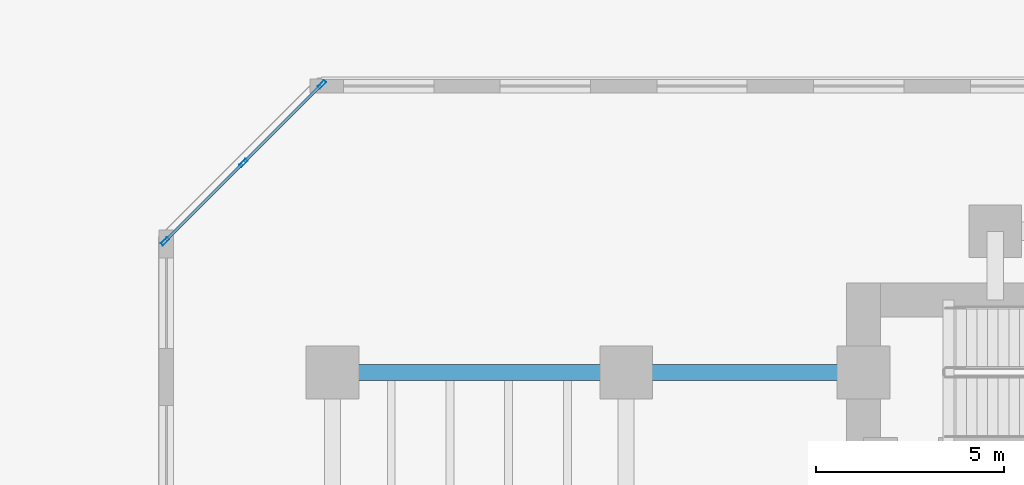
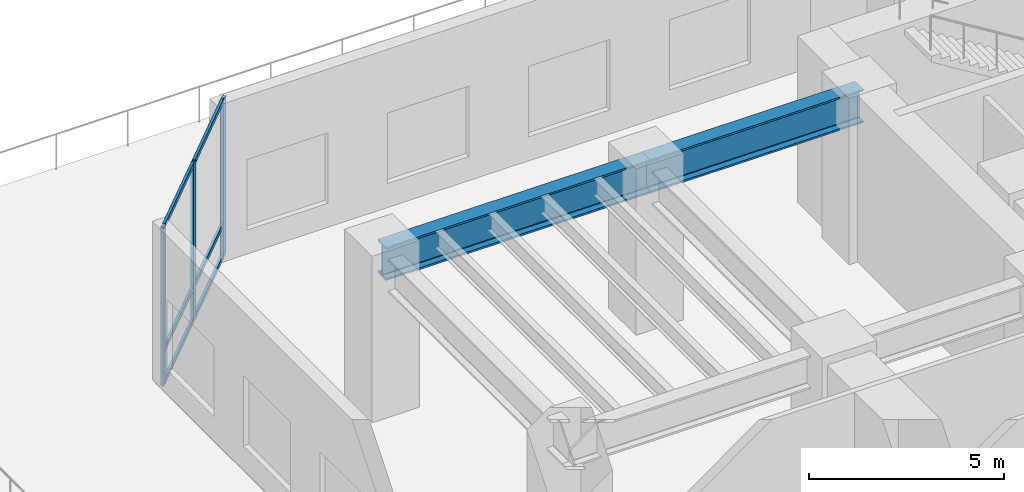
# One storey, part 2 of 13: 9 members, 2 beams, 1 element without a shape of its own.
"""IFC4 building model written with IfcOpenShell, lengths in metres."""

from ifc_helpers import new_model, si_unit, direction, frame, origin, origin_2d, place, context, subcontext, project, spatial, hollow_rectangle, i_section, extrude, material, layer, layer_set, material_profile, profile_set, type_object, element, aggregate, save


model = new_model("IFC4")

# Units and contexts
model_context = context("Model", 3, precision=1e-05, world=origin(), true_north=direction((0.0, 1.0)))
body_context = subcontext(model_context, "Body", "Model", "MODEL_VIEW")
ifc_project = project(units=[si_unit("LENGTHUNIT", "METRE"), si_unit("AREAUNIT", "SQUARE_METRE"), si_unit("VOLUMEUNIT", "CUBIC_METRE"), si_unit("PLANEANGLEUNIT", "RADIAN"), si_unit("MASSUNIT", "GRAM", prefix="KILO")], contexts=[model_context])

# Site, building, storey
site_placement = place(None, origin())
site = spatial("IfcSite", under=ifc_project, at=site_placement, CompositionType="ELEMENT")
building_placement = place(site_placement, origin())
building = spatial("IfcBuilding", under=site, at=building_placement, Name="Kestravale Grand Hotel", CompositionType="ELEMENT")
storey_placement = place(building_placement, frame((0.0, 0.0, 20.800048828125)))
storey = spatial("IfcBuildingStorey", under=building, at=storey_placement, Name="L04", CompositionType="ELEMENT", Elevation=20.800048828125)

# Beams
ifc_material_1 = material(Name="Steel ASTM A992 Grade 50", Category="steel")
ifc_material_profile_1 = material_profile(ifc_material_1, i_section(OverallWidth=0.427001953125, OverallDepth=1.0400390625, WebThickness=0.031005859375, FlangeThickness=0.055908203125, FilletRadius=0.028076171875, at=origin_2d()))
ifc_profile_set_1 = profile_set([ifc_material_profile_1], Name="Steel ASTM A992 Grade 50")
beam_type = type_object("IfcBeamType", Name="B-GRD-W40", PredefinedType="BEAM", material=ifc_profile_set_1)
beam_1_placement = place(storey_placement, frame((7.800048828125, 38.39990234375, 4.419921875), z_axis=(1.0, 0.0, 0.0), x_axis=(0.0, 1.0, 0.0)))
element("IfcBeam", 1, at=beam_1_placement, inside=storey, type_object=beam_type, Name="L04 girder F:2-3", PredefinedType="BEAM", context=body_context, shape_type="SweptSolid", body=[
    extrude(i_section(OverallWidth=0.427001953125, OverallDepth=1.0400390625, WebThickness=0.031005859375, FlangeThickness=0.055908203125, FilletRadius=0.028076171875, at=origin_2d()), origin(), (0.0, 0.0, 1.0), 7.800048828125),
])
beam_2_placement = place(storey_placement, frame((15.60009765625, 38.39990234375, 4.419921875), z_axis=(1.0, 0.0, 0.0), x_axis=(0.0, 1.0, 0.0)))
element("IfcBeam", 2, at=beam_2_placement, inside=storey, type_object=beam_type, Name="L04 girder F:3-CW", PredefinedType="BEAM", context=body_context, shape_type="SweptSolid", body=[
    extrude(i_section(OverallWidth=0.427001953125, OverallDepth=1.0400390625, WebThickness=0.031005859375, FlangeThickness=0.055908203125, FilletRadius=0.028076171875, at=origin_2d()), origin(), (0.0, 0.0, 1.0), 6.2998046875),
])

# Curtain wall, members
ifc_material_2 = material(Name="Thermally broken champagne-bronze aluminium and low-E glazing", Category="aluminium")
ifc_layer = layer(ifc_material_2, 0.239990234375)
ifc_layer_set = layer_set([ifc_layer], Name="CW-POD")
curtain_wall_type = type_object("IfcCurtainWallType", Name="CW-POD", PredefinedType="NOTDEFINED", material=ifc_layer_set)
curtain_wall_placement = place(storey_placement, origin())
curtain_wall = element("IfcCurtainWall", 3, at=curtain_wall_placement, inside=storey, type_object=curtain_wall_type, Name="L04 unitised curtain wall 18", PredefinedType="NOTDEFINED")
ifc_material_3 = material(Name="Aluminium 6063-T6 anodised", Category="aluminium")
ifc_material_profile_2 = material_profile(ifc_material_3, hollow_rectangle(XDim=0.0849609375, YDim=0.239990234375, WallThickness=0.00439453125, at=origin_2d()))
ifc_profile_set_2 = profile_set([ifc_material_profile_2], Name="Aluminium 6063-T6 anodised")
member_type_1 = type_object("IfcMemberType", Name="CW-MUL-240", PredefinedType="MULLION", material=ifc_profile_set_2)
member_1_placement = place(storey_placement, frame((7.5185546875, 46.0498046875, 0.0), z_axis=(0.0, 0.0, 1.0), x_axis=(0.707106781187, -0.707106781187, 0.0)))
member_1 = element("IfcMember", 4, at=member_1_placement, type_object=member_type_1, Name="CW-POD mullion 1", PredefinedType="MULLION", context=body_context, shape_type="SweptSolid", body=[
    extrude(hollow_rectangle(XDim=0.0849609375, YDim=0.239990234375, WallThickness=0.00439453125, at=origin_2d()), origin(), (0.0, 0.0, 1.0), 4.93994140625),
])
member_2_placement = place(storey_placement, frame((5.434326171875, 43.965576171875, 0.0), z_axis=(0.0, 0.0, 1.0), x_axis=(0.707106781187, -0.707106781187, 0.0)))
member_2 = element("IfcMember", 5, at=member_2_placement, type_object=member_type_1, Name="CW-POD mullion 2", PredefinedType="MULLION", context=body_context, shape_type="SweptSolid", body=[
    extrude(hollow_rectangle(XDim=0.0849609375, YDim=0.239990234375, WallThickness=0.00439453125, at=origin_2d()), origin(), (0.0, 0.0, 1.0), 4.93994140625),
])
member_3_placement = place(storey_placement, frame((3.350341796875, 41.881591796875, 0.0), z_axis=(0.0, 0.0, 1.0), x_axis=(0.707106781187, -0.707106781187, 0.0)))
member_3 = element("IfcMember", 6, at=member_3_placement, type_object=member_type_1, Name="CW-POD mullion 3", PredefinedType="MULLION", context=body_context, shape_type="SweptSolid", body=[
    extrude(hollow_rectangle(XDim=0.0849609375, YDim=0.239990234375, WallThickness=0.00439453125, at=origin_2d()), origin(), (0.0, 0.0, 1.0), 4.93994140625),
])
ifc_material_4 = material(Name="Aluminium 6063-T6 anodised", Category="aluminium")
ifc_material_profile_3 = material_profile(ifc_material_4, hollow_rectangle(XDim=0.074951171875, YDim=0.139892578125, WallThickness=0.00341796875, at=origin_2d()))
ifc_profile_set_3 = profile_set([ifc_material_profile_3], Name="Aluminium 6063-T6 anodised")
member_type_2 = type_object("IfcMemberType", Name="CW-TRN-140", PredefinedType="USERDEFINED", material=ifc_profile_set_3)
member_4_placement = place(storey_placement, frame((7.48828125, 46.019775390625, 0.037353515625), z_axis=(-0.707064134295, -0.707149425506, 0.0), x_axis=(0.707149425506, -0.707064134295, 0.0)))
member_4 = element("IfcMember", 7, at=member_4_placement, type_object=member_type_2, Name="CW-POD transom 1.1", ObjectType="TRANSOM", PredefinedType="USERDEFINED", context=body_context, shape_type="SweptSolid", body=[
    extrude(hollow_rectangle(XDim=0.074951171875, YDim=0.139892578125, WallThickness=0.00341796875, at=origin_2d()), origin(), (0.0, 0.0, 1.0), 2.862548828125),
])
member_5_placement = place(storey_placement, frame((7.48828125, 46.019775390625, 1.050048828125), z_axis=(-0.707064134295, -0.707149425506, 0.0), x_axis=(0.707149425506, -0.707064134295, 0.0)))
member_5 = element("IfcMember", 8, at=member_5_placement, type_object=member_type_2, Name="CW-POD transom 1.2", ObjectType="TRANSOM", PredefinedType="USERDEFINED", context=body_context, shape_type="SweptSolid", body=[
    extrude(hollow_rectangle(XDim=0.074951171875, YDim=0.139892578125, WallThickness=0.00341796875, at=origin_2d()), origin(), (0.0, 0.0, 1.0), 2.862548828125),
])
member_6_placement = place(storey_placement, frame((7.48828125, 46.019775390625, 4.90234375), z_axis=(-0.707064134295, -0.707149425506, 0.0), x_axis=(0.707149425506, -0.707064134295, 0.0)))
member_6 = element("IfcMember", 9, at=member_6_placement, type_object=member_type_2, Name="CW-POD transom 1.3", ObjectType="TRANSOM", PredefinedType="USERDEFINED", context=body_context, shape_type="SweptSolid", body=[
    extrude(hollow_rectangle(XDim=0.074951171875, YDim=0.139892578125, WallThickness=0.00341796875, at=origin_2d()), origin(), (0.0, 0.0, 1.0), 2.862548828125),
])
member_7_placement = place(storey_placement, frame((5.404296875, 43.935546875, 0.037353515625), z_axis=(-0.707106781187, -0.707106781187, 0.0), x_axis=(0.707106781187, -0.707106781187, 0.0)))
member_7 = element("IfcMember", 10, at=member_7_placement, type_object=member_type_2, Name="CW-POD transom 2.1", ObjectType="TRANSOM", PredefinedType="USERDEFINED", context=body_context, shape_type="SweptSolid", body=[
    extrude(hollow_rectangle(XDim=0.074951171875, YDim=0.139892578125, WallThickness=0.00341796875, at=origin_2d()), origin(), (0.0, 0.0, 1.0), 2.8623046875),
])
member_8_placement = place(storey_placement, frame((5.404296875, 43.935546875, 1.050048828125), z_axis=(-0.707106781187, -0.707106781187, 0.0), x_axis=(0.707106781187, -0.707106781187, 0.0)))
member_8 = element("IfcMember", 11, at=member_8_placement, type_object=member_type_2, Name="CW-POD transom 2.2", ObjectType="TRANSOM", PredefinedType="USERDEFINED", context=body_context, shape_type="SweptSolid", body=[
    extrude(hollow_rectangle(XDim=0.074951171875, YDim=0.139892578125, WallThickness=0.00341796875, at=origin_2d()), origin(), (0.0, 0.0, 1.0), 2.8623046875),
])
member_9_placement = place(storey_placement, frame((5.404296875, 43.935546875, 4.90234375), z_axis=(-0.707106781187, -0.707106781187, 0.0), x_axis=(0.707106781187, -0.707106781187, 0.0)))
member_9 = element("IfcMember", 12, at=member_9_placement, type_object=member_type_2, Name="CW-POD transom 2.3", ObjectType="TRANSOM", PredefinedType="USERDEFINED", context=body_context, shape_type="SweptSolid", body=[
    extrude(hollow_rectangle(XDim=0.074951171875, YDim=0.139892578125, WallThickness=0.00341796875, at=origin_2d()), origin(), (0.0, 0.0, 1.0), 2.8623046875),
])
aggregate(curtain_wall, [member_1, member_2, member_3, member_4, member_5, member_6, member_7, member_8, member_9])

save(model, "model.ifc")
